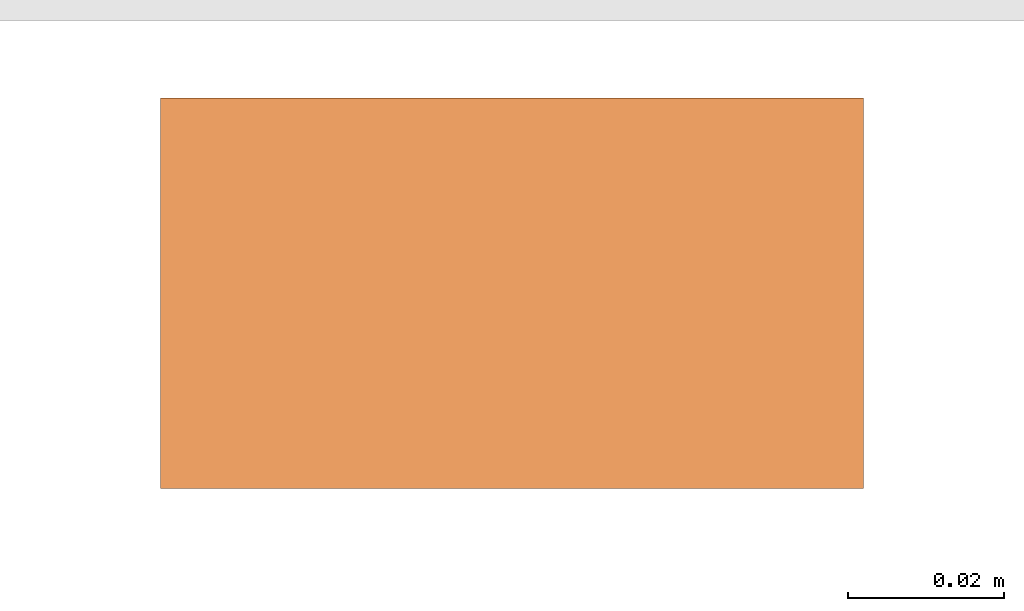
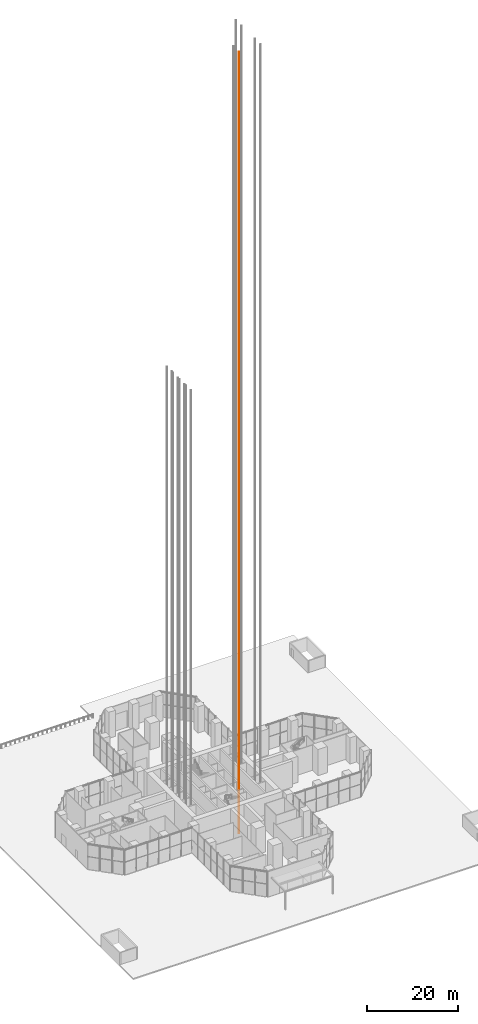
# One storey, part 38 of 43: 1 proxy.
"""IFC4 building model written with IfcOpenShell, lengths in metres."""

from ifc_helpers import new_model, si_unit, direction, frame, origin, origin_2d, place, context, subcontext, project, spatial, rectangle, extrude, material, element, save


model = new_model("IFC4")

# Units and contexts
model_context = context("Model", 3, precision=1e-05, world=origin(), true_north=direction((0.0, 1.0)))
body_context = subcontext(model_context, "Body", "Model", "MODEL_VIEW")
ifc_project = project(units=[si_unit("LENGTHUNIT", "METRE"), si_unit("AREAUNIT", "SQUARE_METRE"), si_unit("VOLUMEUNIT", "CUBIC_METRE"), si_unit("PLANEANGLEUNIT", "RADIAN"), si_unit("MASSUNIT", "GRAM", prefix="KILO")], contexts=[model_context])

# Site, building, storey
site_placement = place(None, origin())
site = spatial("IfcSite", under=ifc_project, at=site_placement, CompositionType="ELEMENT")
building_placement = place(site_placement, origin())
building = spatial("IfcBuilding", under=site, at=building_placement, Name="Mizan Broadcast Tower", CompositionType="ELEMENT")
storey_placement = place(building_placement, origin())
storey = spatial("IfcBuildingStorey", under=building, at=storey_placement, Name="L00", CompositionType="ELEMENT", Elevation=0.0)

# Proxy
ifc_material = material(Name="Steel guide rail", Category="steel")
proxy_placement = place(storey_placement, frame((3.324951171875, -5.409912109375, -5.0), z_axis=(0.0, 0.0, 1.0), x_axis=(1.0, 0.0, 0.0)))
element("IfcBuildingElementProxy", 1, at=proxy_placement, inside=storey, material=ifc_material, Name="Guide rail SH3-1", PredefinedType="NOTDEFINED", context=body_context, shape_type="SweptSolid", body=[
    extrude(rectangle(XDim=0.090087890625, YDim=0.050048828125, at=origin_2d()), origin(), (0.0, 0.0, 1.0), 209.719970703125),
])

save(model, "model.ifc")
